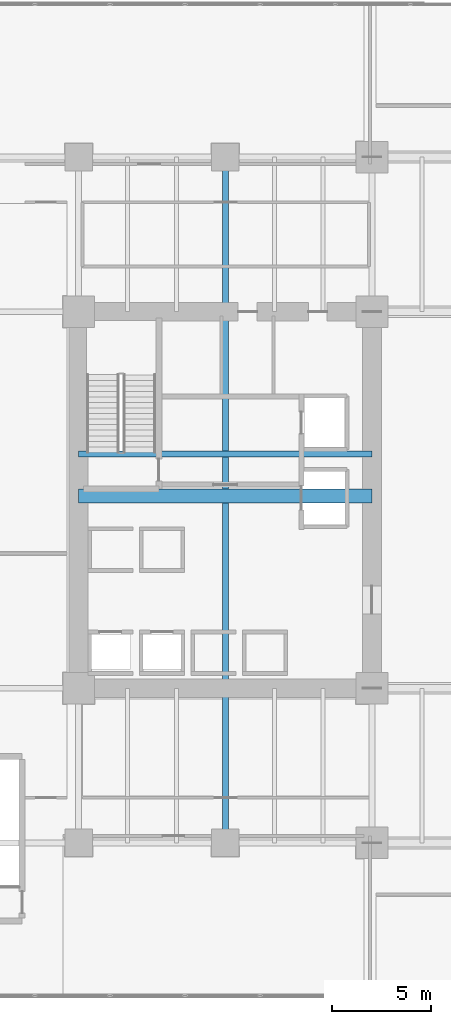
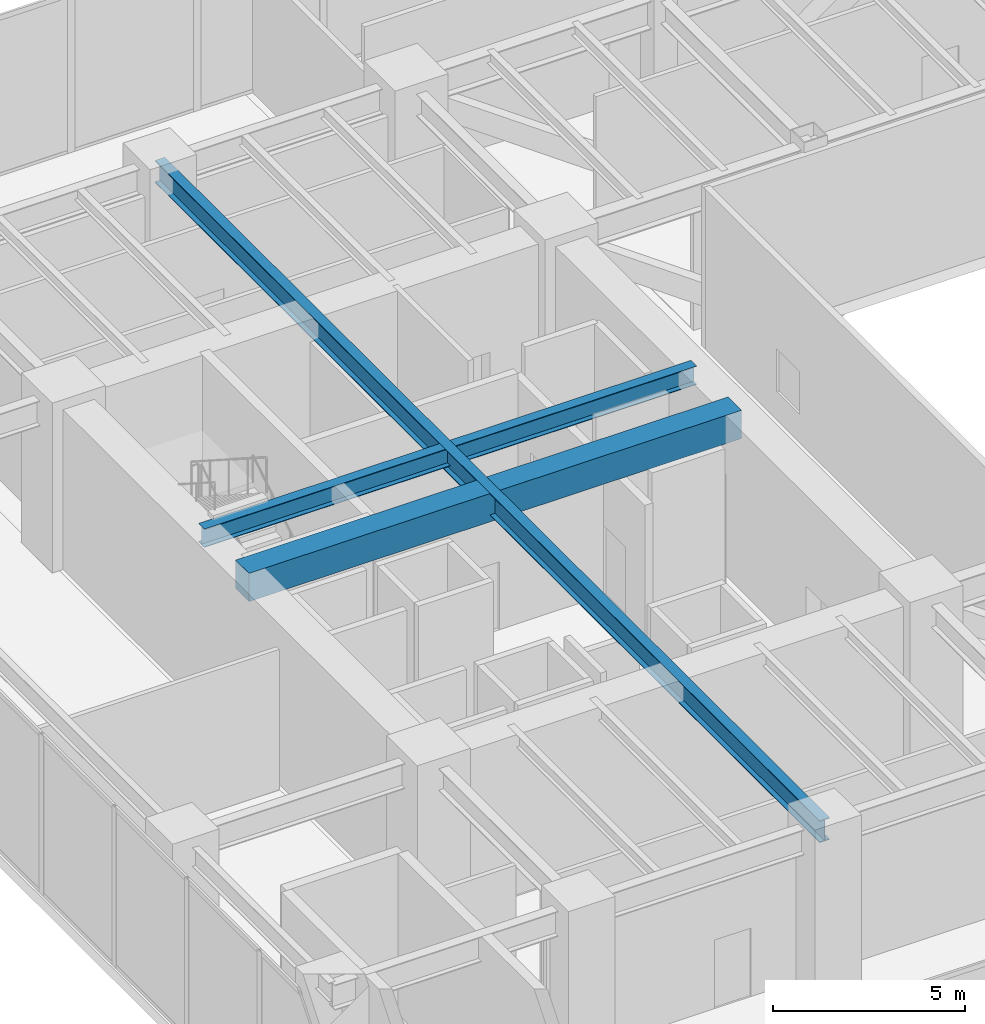
# One storey, part 7 of 35: 3 beams.
"""IFC4 building model written with IfcOpenShell, lengths in metres."""

from ifc_helpers import new_model, si_unit, direction, frame, origin, origin_2d, place, context, subcontext, project, spatial, rectangle, i_section, extrude, source, transform, mapped, material, material_profile, profile_set, type_object, type_shapes, element, save


model = new_model("IFC4")

# Units and contexts
model_context = context("Model", 3, precision=1e-05, world=origin(), true_north=direction((0.0, 1.0)))
body_context = subcontext(model_context, "Body", "Model", "MODEL_VIEW")
ifc_project = project(units=[si_unit("LENGTHUNIT", "METRE"), si_unit("AREAUNIT", "SQUARE_METRE"), si_unit("VOLUMEUNIT", "CUBIC_METRE"), si_unit("PLANEANGLEUNIT", "RADIAN"), si_unit("MASSUNIT", "GRAM", prefix="KILO")], contexts=[model_context])

# Site, building, storey
site_placement = place(None, origin())
site = spatial("IfcSite", under=ifc_project, at=site_placement, CompositionType="ELEMENT")
building_placement = place(site_placement, origin())
building = spatial("IfcBuilding", under=site, at=building_placement, Name="Haelvirn Gate Laboratories", CompositionType="ELEMENT")
storey_placement = place(building_placement, frame((0.0, 0.0, 19.800048828125)))
storey = spatial("IfcBuildingStorey", under=building, at=storey_placement, Name="L05", CompositionType="ELEMENT", Elevation=19.800048828125)

# Beams
ifc_material_1 = material(Name="Concrete C60/75", Category="concrete")
ifc_material_profile_1 = material_profile(ifc_material_1, rectangle(XDim=0.699951171875, YDim=0.89990234375, at=origin_2d()), Name="RCB-700x900")
ifc_profile_set_1 = profile_set([ifc_material_profile_1], Name="Concrete C60/75")
beam_type_1 = type_object("IfcBeamType", Name="BM-RCB-900", PredefinedType="LINTEL", material=ifc_profile_set_1)
shared_shape_1 = source(origin(), body_context, "Body", "SweptSolid", [
    extrude(rectangle(XDim=0.699951171875, YDim=0.89990234375, at=origin_2d()), origin(), (0.0, 0.0, 1.0), 14.800048828125),
])
type_shapes(beam_type_1, [shared_shape_1])
beam_1_placement = place(storey_placement, frame((7.39990234375, 24.5, 4.6298828125), z_axis=(1.0, 0.0, 0.0), x_axis=(0.0, 1.0, 0.0)))
element("IfcBeam", 1, at=beam_1_placement, inside=storey, type_object=beam_type_1, Name="L05 West Core Coupling Beam", PredefinedType="LINTEL", context=body_context, shape_type="MappedRepresentation", body=[
    mapped(shared_shape_1, transform((0.0, 0.0, 0.0), scale=1.0)),
])
ifc_material_2 = material(Name="Steel SM355", Category="steel")
ifc_material_profile_2 = material_profile(ifc_material_2, i_section(OverallWidth=0.300048828125, OverallDepth=0.587890625, WebThickness=0.011962890625, FlangeThickness=0.02001953125, at=origin_2d()), Name="H-588x300x12x20")
ifc_profile_set_2 = profile_set([ifc_material_profile_2], Name="Steel SM355")
beam_type_2 = type_object("IfcBeamType", Name="BM-G-588", PredefinedType="BEAM", material=ifc_profile_set_2)
shared_shape_2 = source(origin(), body_context, "Body", "SweptSolid", [
    extrude(i_section(OverallWidth=0.300048828125, OverallDepth=0.587890625, WebThickness=0.011962890625, FlangeThickness=0.02001953125, at=origin_2d()), origin(), (0.0, 0.0, 1.0), 14.800048828125),
])
type_shapes(beam_type_2, [shared_shape_2])
beam_2_placement = place(storey_placement, frame((7.39990234375, 26.6201171875, 4.785888671875), z_axis=(1.0, 0.0, 0.0), x_axis=(0.0, 1.0, 0.0)))
element("IfcBeam", 2, at=beam_2_placement, inside=storey, type_object=beam_type_2, Name="L05 Stair ST1 Landing Header", PredefinedType="BEAM", context=body_context, shape_type="MappedRepresentation", body=[
    mapped(shared_shape_2, transform((0.0, 0.0, 0.0), scale=1.0)),
])
ifc_material_profile_3 = material_profile(ifc_material_2, i_section(OverallWidth=0.300048828125, OverallDepth=0.699951171875, WebThickness=0.012939453125, FlangeThickness=0.02392578125, at=origin_2d()), Name="H-700x300x13x24")
ifc_profile_set_3 = profile_set([ifc_material_profile_3], Name="Steel SM355")
beam_type_3 = type_object("IfcBeamType", Name="BM-G-700", PredefinedType="BEAM", material=ifc_profile_set_3)
shared_shape_3 = source(origin(), body_context, "Body", "SweptSolid", [
    extrude(i_section(OverallWidth=0.300048828125, OverallDepth=0.699951171875, WebThickness=0.012939453125, FlangeThickness=0.02392578125, at=origin_2d()), origin(), (0.0, 0.0, 1.0), 34.60009765625),
])
type_shapes(beam_type_3, [shared_shape_3])
beam_3_placement = place(storey_placement, frame((14.800048828125, 7.0, 4.72998046875), z_axis=(0.0, 1.0, 0.0), x_axis=(-1.0, 0.0, 0.0)))
element("IfcBeam", 3, at=beam_3_placement, inside=storey, type_object=beam_type_3, Name="L05 Frame Girder X14.8 (7.0-41.6)", PredefinedType="BEAM", context=body_context, shape_type="MappedRepresentation", body=[
    mapped(shared_shape_3, transform((0.0, 0.0, 0.0), scale=1.0)),
])

save(model, "model.ifc")
